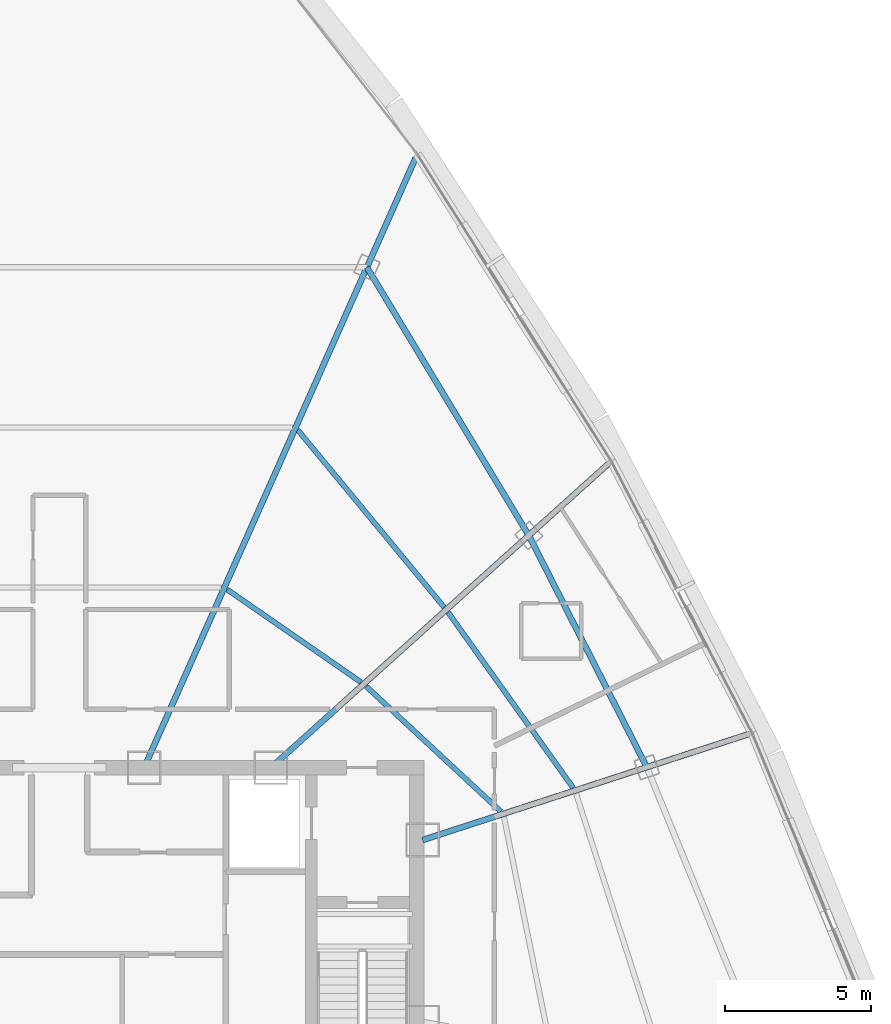
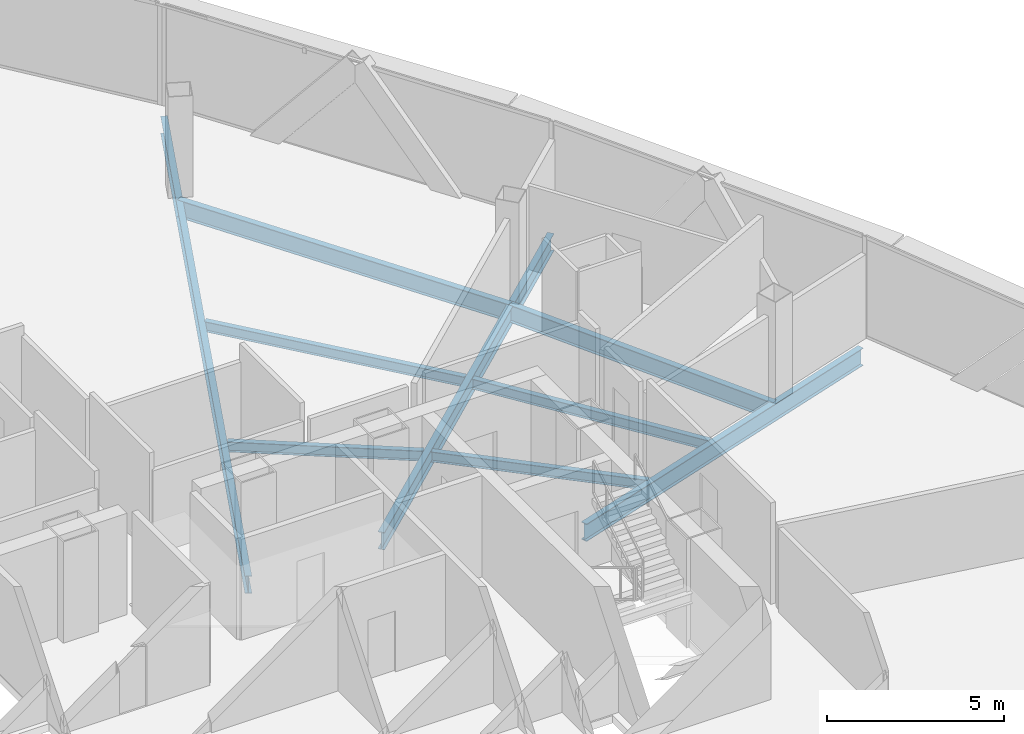
# One storey, part 17 of 33: 9 beams.
"""IFC4 building model written with IfcOpenShell, lengths in metres."""

from ifc_helpers import new_model, si_unit, direction, frame, origin, origin_2d, place, context, subcontext, project, spatial, i_section, extrude, source, transform, mapped, material, material_profile, profile_set, type_object, element, save


model = new_model("IFC4")

# Units and contexts
model_context = context("Model", 3, precision=1e-05, world=origin(), true_north=direction((0.0, 1.0)))
body_context = subcontext(model_context, "Body", "Model", "MODEL_VIEW")
ifc_project = project(units=[si_unit("LENGTHUNIT", "METRE"), si_unit("AREAUNIT", "SQUARE_METRE"), si_unit("VOLUMEUNIT", "CUBIC_METRE"), si_unit("PLANEANGLEUNIT", "RADIAN"), si_unit("MASSUNIT", "GRAM", prefix="KILO"), si_unit("THERMODYNAMICTEMPERATUREUNIT", "KELVIN"), si_unit("POWERUNIT", "WATT")], contexts=[model_context])

# Site, building, storey
site_placement = place(None, origin())
site = spatial("IfcSite", under=ifc_project, at=site_placement, CompositionType="ELEMENT")
building_placement = place(site_placement, origin())
building = spatial("IfcBuilding", under=site, at=building_placement, Name="Yunzhuo Pagoda Commons", CompositionType="ELEMENT")
storey_placement = place(building_placement, frame((0.0, 0.0, 325.510009765625)))
storey = spatial("IfcBuildingStorey", under=building, at=storey_placement, Name="L81", CompositionType="ELEMENT", Elevation=325.510009765625)

# Beams
ifc_material = material(Name="Structural steel Q355B", Category="steel")
ifc_material_profile_1 = material_profile(ifc_material, i_section(OverallWidth=0.199951171875, OverallDepth=0.60009765625, WebThickness=0.010986328125, FlangeThickness=0.01708984375, at=origin_2d()), Name="Structural steel Q355B")
ifc_profile_set_1 = profile_set([ifc_material_profile_1], Name="Structural steel Q355B")
beam_type_1 = type_object("IfcBeamType", Name="B-RG3 Beam HN 600x200x11x17", PredefinedType="BEAM", material=ifc_profile_set_1)
shared_shape_1 = source(origin(), body_context, "Body", "SweptSolid", [
    extrude(i_section(OverallWidth=0.199951171875, OverallDepth=0.60009765625, WebThickness=0.010986328125, FlangeThickness=0.01708984375, at=origin_2d()), origin(), (0.0, 0.0, 1.0), 8.87939453125),
])
beam_1_placement = place(storey_placement, frame((68.053466796875, 40.2158203125, -0.56005859375), z_axis=(-0.453723535687, 0.891142498798, 0.0), x_axis=(-0.891142498798, -0.453723535687, 0.0)))
element("IfcBeam", 1, at=beam_1_placement, inside=storey, type_object=beam_type_1, Name="L81 column-ring beam 6", PredefinedType="BEAM", context=body_context, shape_type="MappedRepresentation", body=[
    mapped(shared_shape_1, transform((0.0, 0.0, 0.0), scale=1.0)),
])
shared_shape_2 = source(origin(), body_context, "Body", "SweptSolid", [
    extrude(i_section(OverallWidth=0.199951171875, OverallDepth=0.60009765625, WebThickness=0.010986328125, FlangeThickness=0.01708984375, at=origin_2d()), origin(), (0.0, 0.0, 1.0), 10.691162109375),
])
beam_2_placement = place(storey_placement, frame((64.024658203125, 48.128662109375, -0.56005859375), z_axis=(-0.516864678433, 0.856067114301, 0.0), x_axis=(-0.856067114301, -0.516864678433, 0.0)))
element("IfcBeam", 2, at=beam_2_placement, inside=storey, type_object=beam_type_1, Name="L81 column-ring beam 7", PredefinedType="BEAM", context=body_context, shape_type="MappedRepresentation", body=[
    mapped(shared_shape_2, transform((0.0, 0.0, 0.0), scale=1.0)),
])
shared_shape_3 = source(origin(), body_context, "Body", "SweptSolid", [
    extrude(i_section(OverallWidth=0.199951171875, OverallDepth=0.60009765625, WebThickness=0.010986328125, FlangeThickness=0.01708984375, at=origin_2d()), origin(), (0.0, 0.0, 1.0), 11.676025390625),
])
beam_3_placement = place(storey_placement, frame((71.504638671875, 41.3369140625, -0.56005859375), z_axis=(-0.951062491517, -0.308998603927, 0.0), x_axis=(0.308998603927, -0.951062491517, 0.0)))
element("IfcBeam", 3, at=beam_3_placement, inside=storey, type_object=beam_type_1, Name="L81 radial floor girder F2C2", PredefinedType="BEAM", context=body_context, shape_type="MappedRepresentation", body=[
    mapped(shared_shape_3, transform((0.0, 0.0, 0.0), scale=1.0)),
])
shared_shape_4 = source(origin(), body_context, "Body", "SweptSolid", [
    extrude(i_section(OverallWidth=0.199951171875, OverallDepth=0.60009765625, WebThickness=0.010986328125, FlangeThickness=0.01708984375, at=origin_2d()), origin(), (0.0, 0.0, 1.0), 15.487548828125),
])
beam_4_placement = place(storey_placement, frame((66.728515625, 50.563232421875, -0.56005859375), z_axis=(-0.743142849048, -0.6691328014, 0.0), x_axis=(0.6691328014, -0.743142849048, 0.0)))
element("IfcBeam", 4, at=beam_4_placement, inside=storey, type_object=beam_type_1, Name="L81 radial floor girder F2C3", PredefinedType="BEAM", context=body_context, shape_type="MappedRepresentation", body=[
    mapped(shared_shape_4, transform((0.0, 0.0, 0.0), scale=1.0)),
])
shared_shape_5 = source(origin(), body_context, "Body", "SweptSolid", [
    extrude(i_section(OverallWidth=0.199951171875, OverallDepth=0.60009765625, WebThickness=0.010986328125, FlangeThickness=0.01708984375, at=origin_2d()), origin(), (0.0, 0.0, 1.0), 22.76953125),
])
beam_5_placement = place(storey_placement, frame((60.1552734375, 61.0009765625, -0.56005859375), z_axis=(-0.406737276471, -0.913545175637, 0.0), x_axis=(0.913545175637, -0.406737276471, 0.0)))
element("IfcBeam", 5, at=beam_5_placement, inside=storey, type_object=beam_type_1, Name="L81 radial floor girder F2C4", PredefinedType="BEAM", context=body_context, shape_type="MappedRepresentation", body=[
    mapped(shared_shape_5, transform((0.0, 0.0, 0.0), scale=1.0)),
])
ifc_material_profile_2 = material_profile(ifc_material, i_section(OverallWidth=0.175048828125, OverallDepth=0.35009765625, WebThickness=0.007080078125, FlangeThickness=0.010986328125, at=origin_2d()), Name="Structural steel Q355B")
ifc_profile_set_2 = profile_set([ifc_material_profile_2], Name="Structural steel Q355B")
beam_type_2 = type_object("IfcBeamType", Name="B-JS2 Joist HN 350x175x7x11", PredefinedType="JOIST", material=ifc_profile_set_2)
shared_shape_6 = source(origin(), body_context, "Body", "SweptSolid", [
    extrude(i_section(OverallWidth=0.175048828125, OverallDepth=0.35009765625, WebThickness=0.007080078125, FlangeThickness=0.010986328125, at=origin_2d()), origin(), (0.0, 0.0, 1.0), 6.277099609375),
])
beam_6_placement = place(storey_placement, frame((63.071044921875, 38.702392578125, -0.43505859375), z_axis=(-0.73244154109, 0.68082992655, 0.0), x_axis=(-0.68082992655, -0.73244154109, 0.0)))
element("IfcBeam", 6, at=beam_6_placement, inside=storey, type_object=beam_type_2, Name="L81 composite ring joist 1.6", PredefinedType="JOIST", context=body_context, shape_type="MappedRepresentation", body=[
    mapped(shared_shape_6, transform((0.0, 0.0, 0.0), scale=1.0)),
])
shared_shape_7 = source(origin(), body_context, "Body", "SweptSolid", [
    extrude(i_section(OverallWidth=0.175048828125, OverallDepth=0.35009765625, WebThickness=0.007080078125, FlangeThickness=0.010986328125, at=origin_2d()), origin(), (0.0, 0.0, 1.0), 7.347900390625),
])
beam_7_placement = place(storey_placement, frame((65.53759765625, 39.513671875, -0.43505859375), z_axis=(-0.580294898948, 0.814406428177, 0.0), x_axis=(-0.814406428177, -0.580294898948, 0.0)))
element("IfcBeam", 7, at=beam_7_placement, inside=storey, type_object=beam_type_2, Name="L81 composite ring joist 2.6", PredefinedType="JOIST", context=body_context, shape_type="MappedRepresentation", body=[
    mapped(shared_shape_7, transform((0.0, 0.0, 0.0), scale=1.0)),
])
shared_shape_8 = source(origin(), body_context, "Body", "SweptSolid", [
    extrude(i_section(OverallWidth=0.175048828125, OverallDepth=0.35009765625, WebThickness=0.007080078125, FlangeThickness=0.010986328125, at=origin_2d()), origin(), (0.0, 0.0, 1.0), 5.556640625),
])
beam_8_placement = place(storey_placement, frame((58.29443359375, 43.119873046875, -0.43505859375), z_axis=(-0.822084621883, 0.569365326011, 0.0), x_axis=(-0.569365326011, -0.822084621883, 0.0)))
element("IfcBeam", 8, at=beam_8_placement, inside=storey, type_object=beam_type_2, Name="L81 composite ring joist 1.7", PredefinedType="JOIST", context=body_context, shape_type="MappedRepresentation", body=[
    mapped(shared_shape_8, transform((0.0, 0.0, 0.0), scale=1.0)),
])
shared_shape_9 = source(origin(), body_context, "Body", "SweptSolid", [
    extrude(i_section(OverallWidth=0.175048828125, OverallDepth=0.35009765625, WebThickness=0.007080078125, FlangeThickness=0.010986328125, at=origin_2d()), origin(), (0.0, 0.0, 1.0), 7.842529296875),
])
beam_9_placement = place(storey_placement, frame((61.133544921875, 45.68017578125, -0.43505859375), z_axis=(-0.636899145749, 0.770947130577, 0.0), x_axis=(-0.770947130577, -0.636899145749, 0.0)))
element("IfcBeam", 9, at=beam_9_placement, inside=storey, type_object=beam_type_2, Name="L81 composite ring joist 2.7", PredefinedType="JOIST", context=body_context, shape_type="MappedRepresentation", body=[
    mapped(shared_shape_9, transform((0.0, 0.0, 0.0), scale=1.0)),
])

save(model, "model.ifc")
